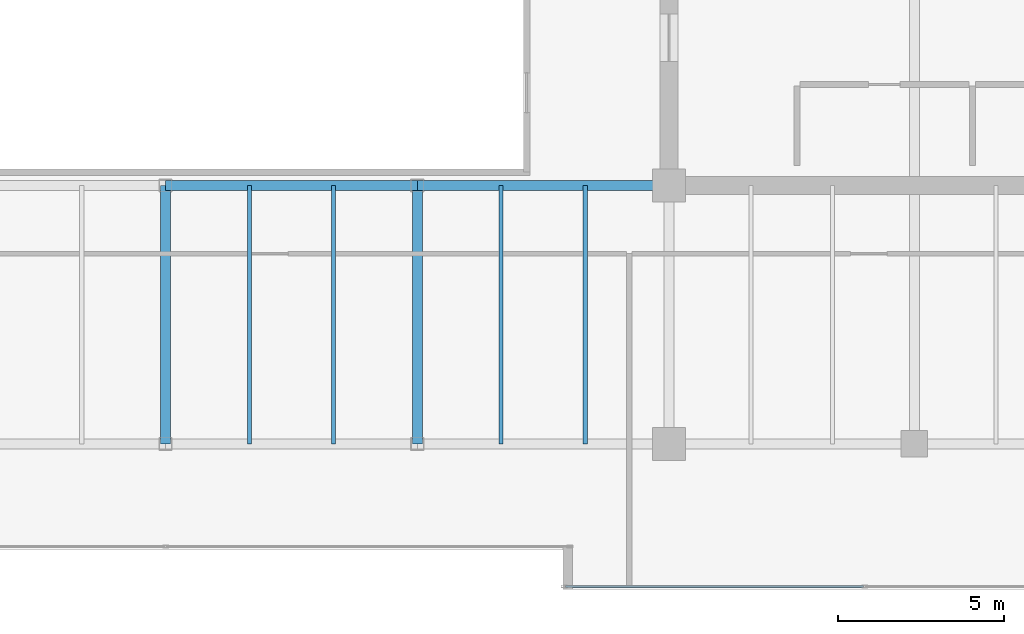
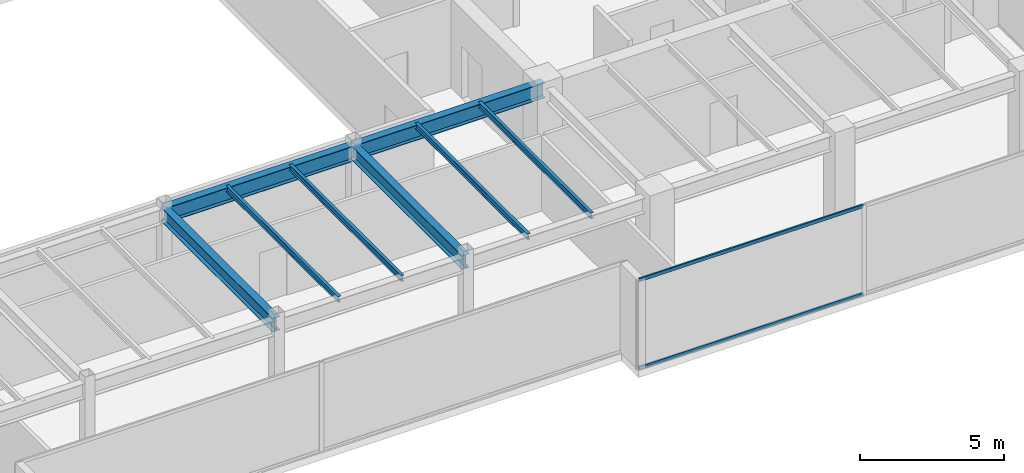
# One storey, part 12 of 33: 8 beams, 2 members, 1 element without a shape of its own.
"""IFC4 building model written with IfcOpenShell, lengths in metres."""

from ifc_helpers import new_model, si_unit, direction, frame, origin, origin_2d, place, context, subcontext, project, spatial, hollow_rectangle, i_section, extrude, source, transform, mapped, material, layer, layer_set, material_profile, profile_set, type_object, type_shapes, element, aggregate, save


model = new_model("IFC4")

# Units and contexts
model_context = context("Model", 3, precision=1e-05, world=origin(), true_north=direction((0.0, 1.0)))
body_context = subcontext(model_context, "Body", "Model", "MODEL_VIEW")
ifc_project = project(units=[si_unit("LENGTHUNIT", "METRE"), si_unit("AREAUNIT", "SQUARE_METRE"), si_unit("VOLUMEUNIT", "CUBIC_METRE"), si_unit("PLANEANGLEUNIT", "RADIAN"), si_unit("MASSUNIT", "GRAM", prefix="KILO")], contexts=[model_context])

# Site, building, storey
site_placement = place(None, origin())
site = spatial("IfcSite", under=ifc_project, at=site_placement, CompositionType="ELEMENT")
building_placement = place(site_placement, origin())
building = spatial("IfcBuilding", under=site, at=building_placement, Name="Haelvirn Gate Laboratories", CompositionType="ELEMENT")
storey_placement = place(building_placement, frame((0.0, 0.0, 271.10009765625)))
storey = spatial("IfcBuildingStorey", under=building, at=storey_placement, Name="L65", CompositionType="ELEMENT", Elevation=271.10009765625)

# Beams
ifc_material_1 = material(Name="Steel SM355", Category="steel")
ifc_material_profile_1 = material_profile(ifc_material_1, i_section(OverallWidth=0.300048828125, OverallDepth=0.587890625, WebThickness=0.011962890625, FlangeThickness=0.02001953125, at=origin_2d()), Name="H-588x300x12x20")
ifc_profile_set_1 = profile_set([ifc_material_profile_1], Name="Steel SM355")
beam_type_1 = type_object("IfcBeamType", Name="BM-G-588", PredefinedType="BEAM", material=ifc_profile_set_1)
shared_shape_1 = source(origin(), body_context, "Body", "SweptSolid", [
    extrude(i_section(OverallWidth=0.300048828125, OverallDepth=0.587890625, WebThickness=0.011962890625, FlangeThickness=0.02001953125, at=origin_2d()), origin(), (0.0, 0.0, 1.0), 7.800048828125),
])
type_shapes(beam_type_1, [shared_shape_1])
for number, where, z_axis, x_axis, name in (
    (1, (37.39990234375, 7.0, 3.505859375), (0.0, 1.0, 0.0), (-1.0, 0.0, 0.0), "L65 Frame Girder X37.4 (7.0-14.8)"),
    (2, (45.0, 7.0, 3.505859375), (0.0, 1.0, 0.0), (-1.0, 0.0, 0.0), "L65 Frame Girder X45.0 (7.0-14.8)"),
):
    element("IfcBeam", number, at=place(storey_placement, frame(where, z_axis=z_axis, x_axis=x_axis)), inside=storey, type_object=beam_type_1, Name=name, PredefinedType="BEAM", context=body_context, shape_type="MappedRepresentation", body=[
        mapped(shared_shape_1, transform((0.0, 0.0, 0.0), scale=1.0)),
    ])
ifc_material_profile_2 = material_profile(ifc_material_1, i_section(OverallWidth=0.300048828125, OverallDepth=0.64990234375, WebThickness=0.012939453125, FlangeThickness=0.02197265625, at=origin_2d()), Name="H-650x300x13x22")
ifc_profile_set_2 = profile_set([ifc_material_profile_2], Name="Steel SM355")
beam_type_2 = type_object("IfcBeamType", Name="BM-G-650", PredefinedType="BEAM", material=ifc_profile_set_2)
shared_shape_2 = source(origin(), body_context, "Body", "SweptSolid", [
    extrude(i_section(OverallWidth=0.300048828125, OverallDepth=0.64990234375, WebThickness=0.012939453125, FlangeThickness=0.02197265625, at=origin_2d()), origin(), (0.0, 0.0, 1.0), 7.60009765625),
])
type_shapes(beam_type_2, [shared_shape_2])
for number, where, z_axis, x_axis, name in (
    (3, (37.39990234375, 14.800048828125, 3.474853515625), (1.0, 0.0, 0.0), (0.0, 1.0, 0.0), "L65 Primary Girder Y14.8 (37.4-45.0)"),
    (4, (45.0, 14.800048828125, 3.474853515625), (1.0, 0.0, 0.0), (0.0, 1.0, 0.0), "L65 Primary Girder Y14.8 (45.0-52.6)"),
):
    element("IfcBeam", number, at=place(storey_placement, frame(where, z_axis=z_axis, x_axis=x_axis)), inside=storey, type_object=beam_type_2, Name=name, PredefinedType="BEAM", context=body_context, shape_type="MappedRepresentation", body=[
        mapped(shared_shape_2, transform((0.0, 0.0, 0.0), scale=1.0)),
    ])
ifc_material_profile_3 = material_profile(ifc_material_1, i_section(OverallWidth=0.125, OverallDepth=0.25, WebThickness=0.006103515625, FlangeThickness=0.009033203125, at=origin_2d()), Name="H-250x125x6x9")
ifc_profile_set_3 = profile_set([ifc_material_profile_3], Name="Steel SM355")
beam_type_3 = type_object("IfcBeamType", Name="BM-J-250", PredefinedType="JOIST", material=ifc_profile_set_3)
shared_shape_3 = source(origin(), body_context, "Body", "SweptSolid", [
    extrude(i_section(OverallWidth=0.125, OverallDepth=0.25, WebThickness=0.006103515625, FlangeThickness=0.009033203125, at=origin_2d()), origin(), (0.0, 0.0, 1.0), 7.800048828125),
])
type_shapes(beam_type_3, [shared_shape_3])
for number, where, z_axis, x_axis, name in (
    (5, (39.929931640625, 7.0, 3.6748046875), (0.0, 1.0, 0.0), (-1.0, 0.0, 0.0), "L65 Composite Lab Joist South X39.93"),
    (6, (42.469970703125, 7.0, 3.6748046875), (0.0, 1.0, 0.0), (-1.0, 0.0, 0.0), "L65 Composite Lab Joist South X42.47"),
    (7, (47.530029296875, 7.0, 3.6748046875), (0.0, 1.0, 0.0), (-1.0, 0.0, 0.0), "L65 Composite Lab Joist South X47.53"),
    (8, (50.070068359375, 7.0, 3.6748046875), (0.0, 1.0, 0.0), (-1.0, 0.0, 0.0), "L65 Composite Lab Joist South X50.07"),
):
    element("IfcBeam", number, at=place(storey_placement, frame(where, z_axis=z_axis, x_axis=x_axis)), inside=storey, type_object=beam_type_3, Name=name, PredefinedType="JOIST", context=body_context, shape_type="MappedRepresentation", body=[
        mapped(shared_shape_3, transform((0.0, 0.0, 0.0), scale=1.0)),
    ])

# Curtain wall, members
ifc_material_2 = material(Name="Anodised bronze unitised aluminium & triple low-E glass", Category="aluminium")
ifc_layer = layer(ifc_material_2, 0.176025390625, Name="CW-SYS-4")
ifc_layer_set = layer_set([ifc_layer], Name="Anodised bronze unitised aluminium & triple low-E glass")
curtain_wall_type = type_object("IfcCurtainWallType", Name="CW-SYS-4", PredefinedType="NOTDEFINED", material=ifc_layer_set)
curtain_wall_placement = place(storey_placement, origin())
curtain_wall = element("IfcCurtainWall", 9, at=curtain_wall_placement, inside=storey, type_object=curtain_wall_type, Name="L65 Unitised Curtain Wall CW-L65-P0-E04-1", PredefinedType="NOTDEFINED")
ifc_material_3 = material(Name="Extruded aluminium 6063-T6 (anodised bronze)", Category="aluminium")
ifc_material_profile_4 = material_profile(ifc_material_3, hollow_rectangle(XDim=0.06494140625, YDim=0.139892578125, WallThickness=0.00390625, at=origin_2d()), Name="CWT-140x65x4")
ifc_profile_set_4 = profile_set([ifc_material_profile_4], Name="Extruded aluminium 6063-T6 (anodised bronze)")
member_type = type_object("IfcMemberType", Name="CWT-T140", PredefinedType="USERDEFINED", material=ifc_profile_set_4)
shared_shape_4 = source(origin(), body_context, "Body", "SweptSolid", [
    extrude(hollow_rectangle(XDim=0.06494140625, YDim=0.139892578125, WallThickness=0.00390625, at=origin_2d()), origin(), (0.0, 0.0, 1.0), 8.9951171875),
])
type_shapes(member_type, [shared_shape_4])
member_1_placement = place(storey_placement, frame((49.469970703125, 2.699951171875, 0.032470703125), z_axis=(1.0, 0.0, 0.0), x_axis=(0.0, 1.0, 0.0)))
member_1 = element("IfcMember", 10, at=member_1_placement, type_object=member_type, Name="CW4 transom 1.1", ObjectType="TRANSOM", PredefinedType="USERDEFINED", context=body_context, shape_type="MappedRepresentation", body=[
    mapped(shared_shape_4, transform((0.0, 0.0, 0.0), scale=1.0)),
])
member_2_placement = place(storey_placement, frame((49.469970703125, 2.699951171875, 3.767333984375), z_axis=(1.0, 0.0, 0.0), x_axis=(0.0, 1.0, 0.0)))
member_2 = element("IfcMember", 11, at=member_2_placement, type_object=member_type, Name="CW4 transom 1.2", ObjectType="TRANSOM", PredefinedType="USERDEFINED", context=body_context, shape_type="MappedRepresentation", body=[
    mapped(shared_shape_4, transform((0.0, 0.0, 0.0), scale=1.0)),
])
aggregate(curtain_wall, [member_1, member_2])

save(model, "model.ifc")
